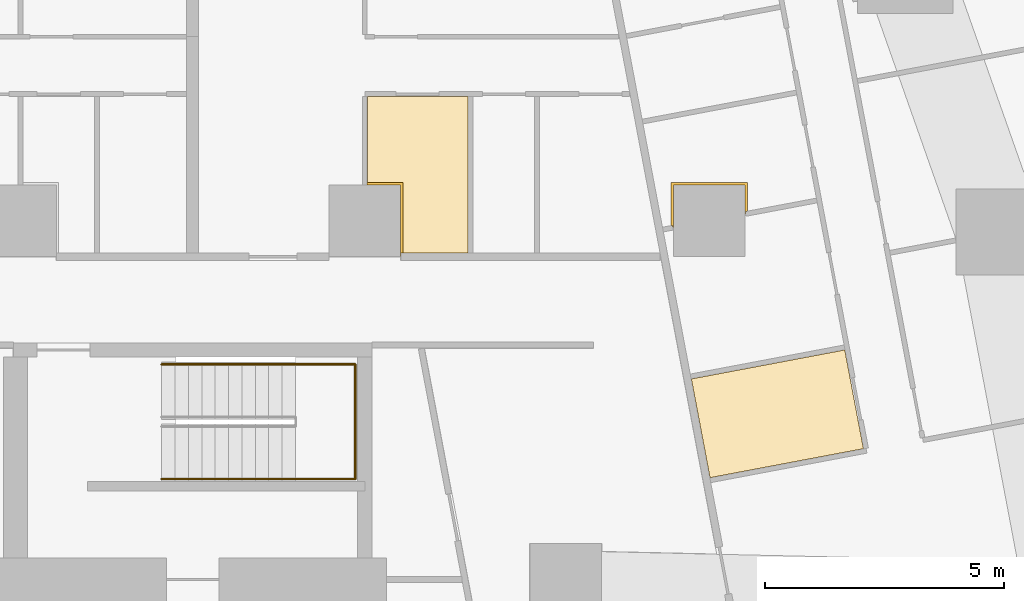
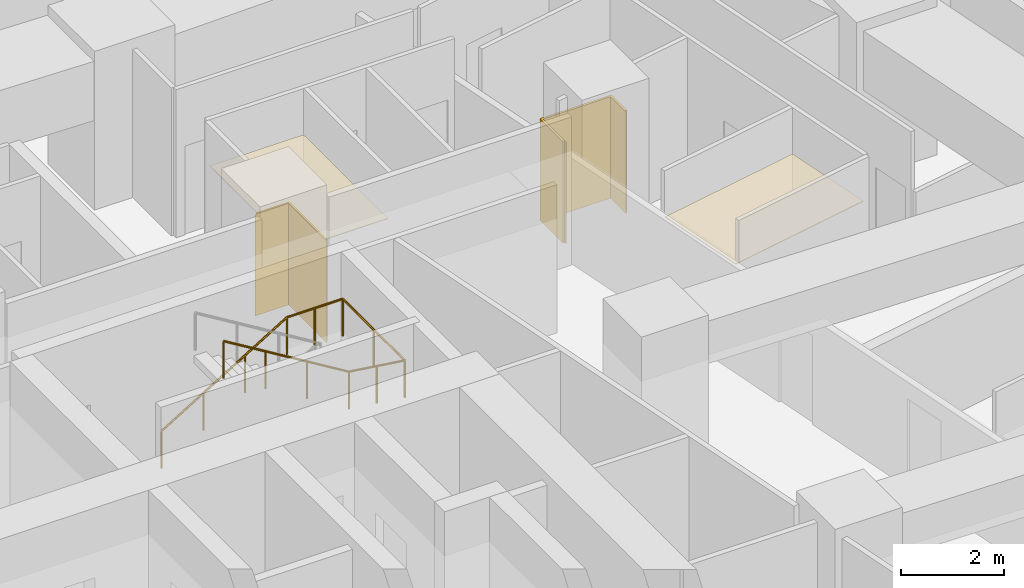
# One storey, part 15 of 15: 4 coverings, 1 railing.
"""IFC4 building model written with IfcOpenShell, lengths in metres."""

import ifcopenshell
import ifcopenshell.guid

model = None  # the IFC model being written
_history = None  # IfcOwnerHistory: only IFC2X3 demands one
_inside = {}  # id of a spatial element -> (the spatial element, [elements in it])
_under = {}  # id of a project, library or spatial element -> (it, [spatial elements below it])
_declared = {}  # id of a project -> (the project, [libraries it declares])
_typed = {}  # id of a type object -> (the type object, [elements of that type])
_made_of = {}  # id of a material, layer set ... -> (it, [elements and type objects made of it])


def new_model(schema):
    """Start an empty IFC model of exactly this schema.

    Asked for "IFC4X3", IfcOpenShell would pick the latest addendum, in which some entities
    have other attributes; the version numbers below select the first issue.
    IFC2X3 requires an IfcOwnerHistory on every rooted entity: one is made here for all.
    """
    global model, _history
    if schema == "IFC4X3":
        model = ifcopenshell.file(schema_version=(4, 3, 0, 0))
    else:
        model = ifcopenshell.file(schema=schema)
    _inside.clear()
    _under.clear()
    _declared.clear()
    _typed.clear()
    _made_of.clear()
    _history = None
    if model.schema == "IFC2X3":
        org = make("IfcOrganization", Name="unknown")
        user = make(
            "IfcPersonAndOrganization",
            ThePerson=make("IfcPerson", FamilyName="unknown"),
            TheOrganization=org,
        )
        app = make(
            "IfcApplication",
            ApplicationDeveloper=org,
            Version="unknown",
            ApplicationFullName="unknown",
            ApplicationIdentifier="unknown",
        )
        _history = make(
            "IfcOwnerHistory",
            OwningUser=user,
            OwningApplication=app,
            ChangeAction="ADDED",
            CreationDate=0,
        )
    return model


def make(cls, **values):
    """One entity of the class cls with the attributes given. An attribute that is None is left unset."""
    return model.create_entity(
        cls, **{name: value for name, value in values.items() if value is not None}
    )


def rooted(cls, **values):
    """An entity with a GlobalId (a new one), such as an element, a storey or a relation."""
    return make(cls, GlobalId=ifcopenshell.guid.new(), OwnerHistory=_history, **values)


def si_unit(unit_type, name, prefix=None):
    """IfcSIUnit, for example si_unit("LENGTHUNIT", "METRE", prefix="MILLI")."""
    return make("IfcSIUnit", UnitType=unit_type, Prefix=prefix, Name=name)


def assignment(units):
    """IfcUnitAssignment: the units of a project."""
    return None if units is None else make("IfcUnitAssignment", Units=units)


def point(xyz):
    """IfcCartesianPoint."""
    return None if xyz is None else make("IfcCartesianPoint", Coordinates=xyz)


def direction(xyz):
    """IfcDirection."""
    return None if xyz is None else make("IfcDirection", DirectionRatios=xyz)


def frame(location, z_axis=None, x_axis=None):
    """IfcAxis2Placement3D, a coordinate frame: its origin and axes. An axis left out is left unset."""
    return make(
        "IfcAxis2Placement3D",
        Location=point(location),
        Axis=direction(z_axis),
        RefDirection=direction(x_axis),
    )


def frame_2d(location, x_axis=None):
    """IfcAxis2Placement2D, a coordinate frame in the plane: its origin and x axis."""
    return make(
        "IfcAxis2Placement2D", Location=point(location), RefDirection=direction(x_axis)
    )


def origin():
    """The frame at (0, 0, 0) with its axes left unset."""
    return frame((0.0, 0.0, 0.0))


def origin_2d():
    """The frame at (0, 0) in the plane with its x axis left unset."""
    return frame_2d((0.0, 0.0))


def place(relative_to, where):
    """IfcLocalPlacement: puts the frame where relative to a parent placement (None: the world)."""
    return make(
        "IfcLocalPlacement", PlacementRelTo=relative_to, RelativePlacement=where
    )


def context(
    kind, dimensions, precision=None, world=None, true_north=None, identifier=None
):
    """IfcGeometricRepresentationContext, for example the 3D "Model" context."""
    return make(
        "IfcGeometricRepresentationContext",
        ContextIdentifier=identifier,
        ContextType=kind,
        CoordinateSpaceDimension=dimensions,
        Precision=precision,
        WorldCoordinateSystem=world,
        TrueNorth=true_north,
    )


def subcontext(parent, identifier, kind, view, scale=None):
    """IfcGeometricRepresentationSubContext, for example "Body" below "Model"."""
    return make(
        "IfcGeometricRepresentationSubContext",
        ContextIdentifier=identifier,
        ContextType=kind,
        ParentContext=parent,
        TargetScale=scale,
        TargetView=view,
    )


def project(units=None, contexts=None):
    """IfcProject with its units and contexts."""
    return rooted(
        "IfcProject",
        Name="project",
        RepresentationContexts=contexts,
        UnitsInContext=assignment(units),
    )


def spatial(cls, under=None, at=None, **own):
    """A site, building, storey or space (cls), placed at a placement, below another one or the project."""
    s = rooted(cls, ObjectPlacement=at, **own)
    if under is not None:
        _under.setdefault(under.id(), (under, []))[1].append(s)
    return s


def polyline(points):
    """IfcPolyline through the points."""
    return make("IfcPolyline", Points=[point(p) for p in points])


def profile(cls, at=None, kind="AREA", **sizes):
    """A parametric profile (cls). Its sizes go by their IFC names, for example OverallWidth=200.0."""
    return make(cls, ProfileType=kind, Position=at, **sizes)


def circle(**sizes):
    """IfcCircleProfileDef."""
    return profile("IfcCircleProfileDef", **sizes)


def outline(outer, holes=None, kind="AREA"):
    """IfcArbitraryClosedProfileDef: a profile drawn as a closed curve; with holes, ...WithVoids."""
    if holes is None:
        return make("IfcArbitraryClosedProfileDef", ProfileType=kind, OuterCurve=outer)
    return make(
        "IfcArbitraryProfileDefWithVoids",
        ProfileType=kind,
        OuterCurve=outer,
        InnerCurves=holes,
    )


def extrude(swept, where, along, depth):
    """IfcExtrudedAreaSolid: the profile swept, set in the frame where, extruded along a direction by depth."""
    return make(
        "IfcExtrudedAreaSolid",
        SweptArea=swept,
        Position=where,
        ExtrudedDirection=direction(along),
        Depth=depth,
    )


def shape(context_of_items, identifier, shape_type, items):
    """IfcShapeRepresentation: the items that make up one representation, for example the "Body"."""
    return make(
        "IfcShapeRepresentation",
        ContextOfItems=context_of_items,
        RepresentationIdentifier=identifier,
        RepresentationType=shape_type,
        Items=items,
    )


def material(Name=None, Category=None):
    """IfcMaterial."""
    return make("IfcMaterial", Name=Name, Category=Category)


def layer(
    of_material, thickness, ventilated=None, Name=None, Category=None, Priority=None
):
    """IfcMaterialLayer: one layer of a wall or slab, of a material (None: an air gap)."""
    return make(
        "IfcMaterialLayer",
        Material=of_material,
        LayerThickness=thickness,
        IsVentilated=ventilated,
        Name=Name,
        Category=Category,
        Priority=Priority,
    )


def layer_set(layers, Name=None):
    """IfcMaterialLayerSet."""
    return make("IfcMaterialLayerSet", MaterialLayers=layers, LayerSetName=Name)


def made_of(thing, what):
    """Note that an element or type object is made of a material, layer set ...; save() writes the relation."""
    if what is not None:
        _made_of.setdefault(what.id(), (what, []))[1].append(thing)
    return thing


def type_object(cls, material=None, **own):
    """A type object (cls), such as IfcWallType, which elements share."""
    return made_of(rooted(cls, **own), material)


def element(
    cls,
    number,
    at=None,
    inside=None,
    cuts=None,
    type_object=None,
    material=None,
    context=None,
    identifier="Body",
    shape_type=None,
    held_by="IfcProductDefinitionShape",
    body=None,
    shapes=None,
    **own,
):
    """One element of the class cls, such as IfcWall. Its Tag is "e" and its number.

    at: its placement. inside: the storey or other place that contains it. cuts: it is an
    opening in that element (IfcRelVoidsElement). A single representation is given by context,
    identifier, shape_type and body (its items); several are given by shapes. held_by: the class
    of the entity that holds the representations. save() writes the other relations.
    """
    e = rooted(cls, Tag="e%d" % number, ObjectPlacement=at, **own)
    if body is not None:
        shapes = [shape(context, identifier, shape_type, body)]
    if shapes is not None:
        e.Representation = make(held_by, Representations=shapes)
    if inside is not None:
        _inside.setdefault(inside.id(), (inside, []))[1].append(e)
    if cuts is not None:
        rooted(
            "IfcRelVoidsElement", RelatingBuildingElement=cuts, RelatedOpeningElement=e
        )
    if type_object is not None:
        _typed.setdefault(type_object.id(), (type_object, []))[1].append(e)
    return made_of(e, material)


def aggregate(whole, parts):
    """IfcRelAggregates: a whole, such as a stair, and the parts it consists of."""
    return rooted("IfcRelAggregates", RelatingObject=whole, RelatedObjects=parts)


def save(model, path):
    """Write the relations noted so far, then the file.

    IfcRelAggregates (storeys below a building ...), IfcRelContainedInSpatialStructure (elements
    in a storey), IfcRelDefinesByType, IfcRelAssociatesMaterial and IfcRelDeclares: one each for
    every whole, place, type object, material and project.
    """
    for whole, parts in _under.values():
        aggregate(whole, parts)
    for where, things in _inside.values():
        rooted(
            "IfcRelContainedInSpatialStructure",
            RelatedElements=things,
            RelatingStructure=where,
        )
    for kind, things in _typed.values():
        rooted("IfcRelDefinesByType", RelatedObjects=things, RelatingType=kind)
    for what, things in _made_of.values():
        rooted("IfcRelAssociatesMaterial", RelatedObjects=things, RelatingMaterial=what)
    for by, libraries in _declared.values():
        rooted("IfcRelDeclares", RelatingContext=by, RelatedDefinitions=libraries)
    model.write(path)


model = new_model("IFC4")

# Units and contexts
model_context = context("Model", 3, precision=1e-05, world=origin(), true_north=direction((0.0, 1.0)))
body_context = subcontext(model_context, "Body", "Model", "MODEL_VIEW")
ifc_project = project(units=[si_unit("LENGTHUNIT", "METRE"), si_unit("AREAUNIT", "SQUARE_METRE"), si_unit("VOLUMEUNIT", "CUBIC_METRE"), si_unit("PLANEANGLEUNIT", "RADIAN"), si_unit("MASSUNIT", "GRAM", prefix="KILO")], contexts=[model_context])

# Site, building, storey
site_placement = place(None, origin())
site = spatial("IfcSite", under=ifc_project, at=site_placement, CompositionType="ELEMENT")
building_placement = place(site_placement, origin())
building = spatial("IfcBuilding", under=site, at=building_placement, Name="Sheger Commons Tower", CompositionType="ELEMENT")
storey_placement = place(building_placement, frame((0.0, 0.0, 154.550048828125)))
storey = spatial("IfcBuildingStorey", under=building, at=storey_placement, Name="L39", CompositionType="ELEMENT", Elevation=154.550048828125)

# Railing
ifc_material_1 = material(Name="Steel handrail, black powder-coated", Category="steel")
railing_type = type_object("IfcRailingType", Name="HANDRAIL 900", PredefinedType="HANDRAIL", material=ifc_material_1)
railing_placement = place(storey_placement, frame((24.550048828125, 34.5, 0.17041015625)))
element("IfcRailing", 1, at=railing_placement, inside=storey, type_object=railing_type, Name="Stair S2 handrail L39", PredefinedType="HANDRAIL", context=body_context, shape_type="SweptSolid", body=[
    extrude(circle(Radius=0.02392578125, at=origin_2d()), frame((0.0, 0.0, 0.8759765625), z_axis=(0.854169791009, 0.0, 0.51999420009), x_axis=(0.0, 1.0, 0.0)), (0.0, 0.0, 1.0), 3.278076171875),
    extrude(circle(Radius=0.02392578125, at=origin_2d()), frame((2.800048828125, 0.0, 2.58056640625), z_axis=(1.0, 0.0, 0.0), x_axis=(0.0, 1.0, 0.0)), (0.0, 0.0, 1.0), 1.25),
    extrude(circle(Radius=0.02392578125, at=origin_2d()), frame((4.050048828125, 0.0, 2.58056640625), z_axis=(0.0, -1.0, 0.0), x_axis=(1.0, 0.0, 0.0)), (0.0, 0.0, 1.0), 2.39990234375),
    extrude(circle(Radius=0.02392578125, at=origin_2d()), frame((4.050048828125, -2.39990234375, 2.58056640625), z_axis=(-0.990834877927, 0.0, 0.135078661092), x_axis=(0.0, -1.0, 0.0)), (0.0, 0.0, 1.0), 1.261474609375),
    extrude(circle(Radius=0.02392578125, at=origin_2d()), frame((2.800048828125, -2.39990234375, 2.7509765625), z_axis=(-0.854169791009, 0.0, 0.51999420009), x_axis=(0.0, -1.0, 0.0)), (0.0, 0.0, 1.0), 3.278076171875),
    extrude(circle(Radius=0.02099609375, at=origin_2d()), origin(), (0.0, 0.0, 1.0), 0.851806640625),
    extrude(circle(Radius=0.02099609375, at=origin_2d()), frame((0.933349609375, 0.0, 0.568115234375)), (0.0, 0.0, 1.0), 0.851806640625),
    extrude(circle(Radius=0.02099609375, at=origin_2d()), frame((1.86669921875, 0.0, 1.136474609375)), (0.0, 0.0, 1.0), 0.851806640625),
    extrude(circle(Radius=0.02099609375, at=origin_2d()), frame((2.800048828125, 0.0, 1.70458984375)), (0.0, 0.0, 1.0), 0.851806640625),
    extrude(circle(Radius=0.02099609375, at=origin_2d()), frame((3.425048828125, 0.0, 1.70458984375)), (0.0, 0.0, 1.0), 0.851806640625),
    extrude(circle(Radius=0.02099609375, at=origin_2d()), frame((4.050048828125, 0.0, 1.70458984375)), (0.0, 0.0, 1.0), 0.851806640625),
    extrude(circle(Radius=0.02099609375, at=origin_2d()), frame((4.050048828125, -1.199951171875, 1.70458984375)), (0.0, 0.0, 1.0), 0.851806640625),
    extrude(circle(Radius=0.02099609375, at=origin_2d()), frame((4.050048828125, -2.39990234375, 1.70458984375)), (0.0, 0.0, 1.0), 0.851806640625),
    extrude(circle(Radius=0.02099609375, at=origin_2d()), frame((3.425048828125, -2.39990234375, 1.789794921875)), (0.0, 0.0, 1.0), 0.851806640625),
    extrude(circle(Radius=0.02099609375, at=origin_2d()), frame((2.800048828125, -2.39990234375, 1.875)), (0.0, 0.0, 1.0), 0.851806640625),
    extrude(circle(Radius=0.02099609375, at=origin_2d()), frame((1.86669921875, -2.39990234375, 2.443115234375)), (0.0, 0.0, 1.0), 0.851806640625),
    extrude(circle(Radius=0.02099609375, at=origin_2d()), frame((0.933349609375, -2.39990234375, 3.011474609375)), (0.0, 0.0, 1.0), 0.851806640625),
    extrude(circle(Radius=0.02099609375, at=origin_2d()), frame((0.0, -2.39990234375, 3.57958984375)), (0.0, 0.0, 1.0), 0.851806640625),
])

# Coverings
ifc_material_2 = material(Name="Moisture-resistant gypsum plasterboard 15 mm on a suspended galvanised steel grid", Category="steel")
ifc_layer_1 = layer(ifc_material_2, 0.014892578125)
ifc_layer_set_1 = layer_set([ifc_layer_1], Name="MOISTURE-RESISTANT CEILING 15")
covering_type_1 = type_object("IfcCoveringType", Name="MOISTURE-RESISTANT CEILING 15", PredefinedType="CEILING", material=ifc_layer_set_1)
covering_1_placement = place(storey_placement, frame((0.0, 0.0, 2.39990234375)))
element("IfcCovering", 2, at=covering_1_placement, inside=storey, type_object=covering_type_1, Name="L39-07.B1 ceiling", PredefinedType="CEILING", context=body_context, shape_type="SweptSolid", body=[
    extrude(outline(polyline([(36.01708984375, 32.1298828125), (39.22412109375, 32.736083984375), (38.833984375, 34.800048828125), (35.626953125, 34.194091796875), (36.01708984375, 32.1298828125)])), origin(), (0.0, 0.0, 1.0), 0.01513671875),
])
covering_2_placement = place(storey_placement, frame((0.0, 0.0, 2.39990234375)))
element("IfcCovering", 3, at=covering_2_placement, inside=storey, type_object=covering_type_1, Name="L39-12.B1 ceiling", PredefinedType="CEILING", context=body_context, shape_type="SweptSolid", body=[
    extrude(outline(polyline([(29.554931640625, 36.830078125), (30.955078125, 36.830078125), (30.955078125, 40.094970703125), (28.85498046875, 40.094970703125), (28.85498046875, 38.2548828125), (29.554931640625, 38.2548828125), (29.554931640625, 36.830078125)])), origin(), (0.0, 0.0, 1.0), 0.01513671875),
])
ifc_material_3 = material(Name="Moisture-resistant gypsum board 12.5 mm on 25 mm treated timber battens, tanked and tiled", Category="wood")
ifc_layer_2 = layer(ifc_material_3, 0.050048828125)
ifc_layer_set_2 = layer_set([ifc_layer_2], Name="WET-ROOM COLUMN LINING")
covering_type_2 = type_object("IfcCoveringType", Name="WET-ROOM COLUMN LINING", PredefinedType="CLADDING", material=ifc_layer_set_2)
covering_3_placement = place(storey_placement, origin())
element("IfcCovering", 4, at=covering_3_placement, inside=storey, type_object=covering_type_2, Name="Bathroom column lining C10 L39", PredefinedType="CLADDING", context=body_context, shape_type="SweptSolid", body=[
    extrude(outline(polyline([(29.60009765625, 36.824951171875), (29.551025390625, 36.824951171875), (29.551025390625, 36.75), (29.550048828125, 36.75), (29.550048828125, 38.25), (28.800048828125, 38.25), (28.800048828125, 38.2509765625), (28.85009765625, 38.2509765625), (28.85009765625, 38.300048828125), (29.60009765625, 38.300048828125), (29.60009765625, 36.824951171875)])), origin(), (0.0, 0.0, 1.0), 2.39990234375),
])
covering_4_placement = place(storey_placement, origin())
element("IfcCovering", 5, at=covering_4_placement, inside=storey, type_object=covering_type_2, Name="Laundry room column lining C10 L39", PredefinedType="CLADDING", context=body_context, shape_type="SweptSolid", body=[
    extrude(outline(polyline([(36.800048828125, 38.300048828125), (36.800048828125, 37.701904296875), (36.7509765625, 37.693115234375), (36.760009765625, 37.64404296875), (36.75, 37.64208984375), (36.75, 38.25), (35.25, 38.25), (35.25, 37.35791015625), (35.239990234375, 37.35595703125), (35.23095703125, 37.405029296875), (35.199951171875, 37.39892578125), (35.199951171875, 38.300048828125), (36.800048828125, 38.300048828125)])), origin(), (0.0, 0.0, 1.0), 2.39990234375),
])

save(model, "model.ifc")
